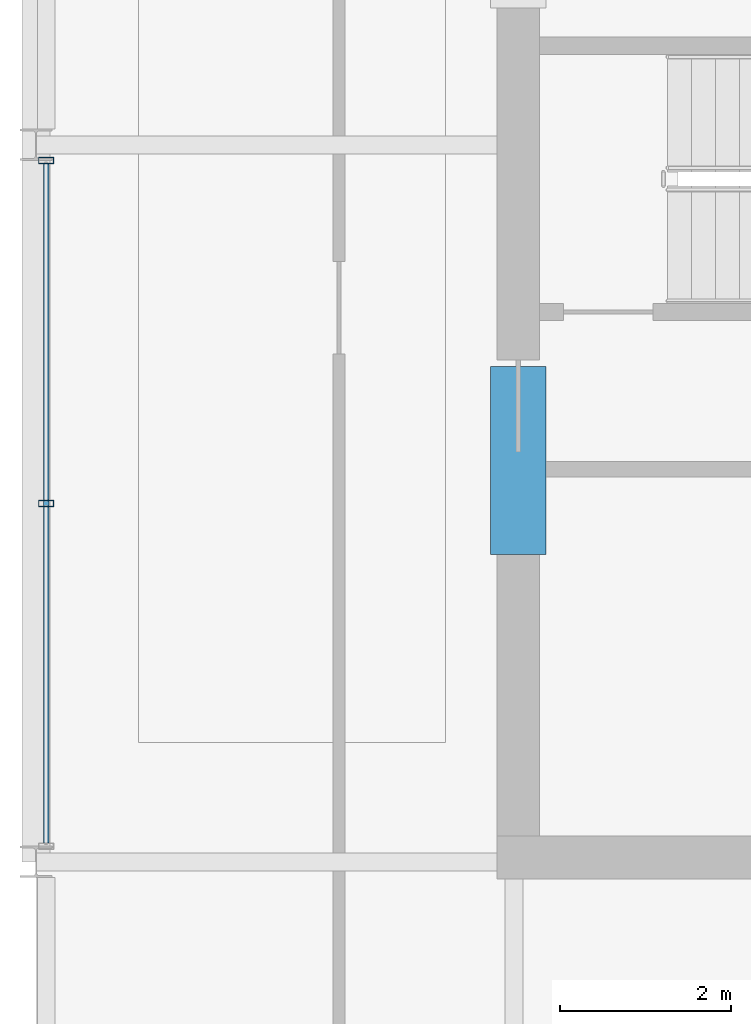
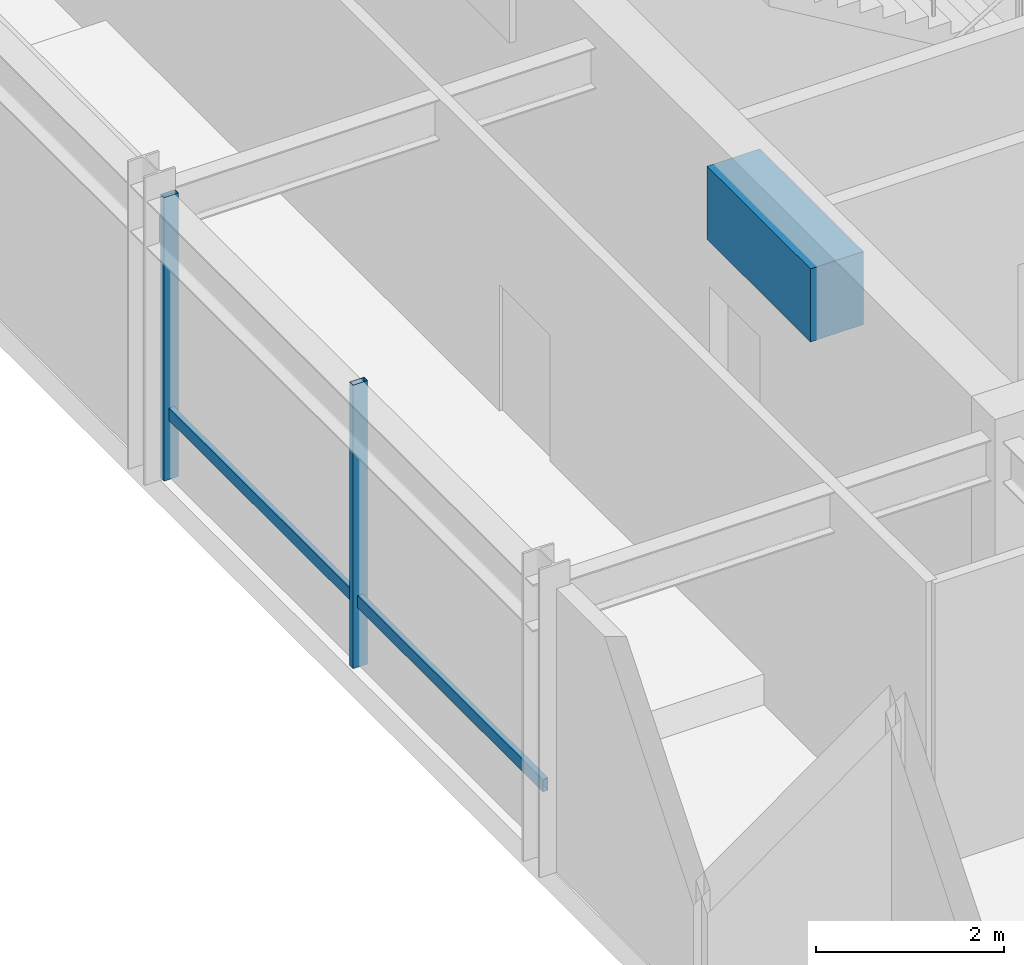
# One storey, part 4 of 12: 3 members, 1 beam, 1 element without a shape of its own.
"""IFC4 building model written with IfcOpenShell, lengths in metres."""

from ifc_helpers import new_model, si_unit, direction, frame, origin, origin_2d, place, context, subcontext, project, spatial, rectangle, hollow_rectangle, extrude, material, layer, layer_set, material_profile, profile_set, type_object, element, aggregate, save


model = new_model("IFC4")

# Units and contexts
model_context = context("Model", 3, precision=1e-05, world=origin(), true_north=direction((0.0, 1.0)))
body_context = subcontext(model_context, "Body", "Model", "MODEL_VIEW")
ifc_project = project(units=[si_unit("LENGTHUNIT", "METRE"), si_unit("AREAUNIT", "SQUARE_METRE"), si_unit("VOLUMEUNIT", "CUBIC_METRE"), si_unit("PLANEANGLEUNIT", "RADIAN"), si_unit("MASSUNIT", "GRAM", prefix="KILO")], contexts=[model_context])

# Site, building, storey
site_placement = place(None, origin())
site = spatial("IfcSite", under=ifc_project, at=site_placement, CompositionType="ELEMENT")
building_placement = place(site_placement, origin())
building = spatial("IfcBuilding", under=site, at=building_placement, Name="Drelvath Grand Hotel", CompositionType="ELEMENT")
storey_placement = place(building_placement, frame((0.0, 0.0, 315.39990234375)))
storey = spatial("IfcBuildingStorey", under=building, at=storey_placement, Name="L82", CompositionType="ELEMENT", Elevation=315.39990234375)

# Beam
ifc_material_1 = material(Name="Concrete f'c 55 MPa", Category="concrete")
ifc_material_profile_1 = material_profile(ifc_material_1, rectangle(XDim=0.64990234375, YDim=0.949951171875, at=origin_2d()), Name="CB650X950")
ifc_profile_set_1 = profile_set([ifc_material_profile_1], Name="Concrete f'c 55 MPa")
beam_type = type_object("IfcBeamType", Name="Core Coupling Lintel CB650X950", PredefinedType="LINTEL", material=ifc_profile_set_1)
beam_placement = place(storey_placement, frame((-8.35009765625, 22.199951171875, 3.205078125), z_axis=(0.0, 1.0, 0.0), x_axis=(-1.0, 0.0, 0.0)))
element("IfcBeam", 1, at=beam_placement, inside=storey, type_object=beam_type, Name="L82 Core Coupling Lintel WS", PredefinedType="LINTEL", context=body_context, shape_type="SweptSolid", body=[
    extrude(rectangle(XDim=0.64990234375, YDim=0.949951171875, at=origin_2d()), origin(), (0.0, 0.0, 1.0), 2.199951171875),
])

# Curtain wall, members
ifc_material_2 = material(Name="Pale-Metal Anodised Aluminium Crown Frame", Category="aluminium")
ifc_layer = layer(ifc_material_2, 0.199951171875)
ifc_layer_set = layer_set([ifc_layer], Name="Pale-Metal Anodised Aluminium Crown Frame")
curtain_wall_type = type_object("IfcCurtainWallType", Name="Stick Curtain Wall CW-06 Pale-Metal Crown Clerestory", PredefinedType="NOTDEFINED", material=ifc_layer_set)
curtain_wall_placement = place(storey_placement, origin())
curtain_wall = element("IfcCurtainWall", 2, at=curtain_wall_placement, inside=storey, type_object=curtain_wall_type, Name="L82 CW-06 Curtain Wall CW06-L82-W", PredefinedType="NOTDEFINED")
ifc_material_profile_2 = material_profile(ifc_material_2, hollow_rectangle(XDim=0.06494140625, YDim=0.159912109375, WallThickness=0.00390625, at=origin_2d()), Name="HSS160X65X4")
ifc_profile_set_2 = profile_set([ifc_material_profile_2], Name="Pale-Metal Anodised Aluminium Crown Frame")
member_type_1 = type_object("IfcMemberType", Name="Curtain Wall Horizontal Transom CW-06 HSS160X65X4", PredefinedType="USERDEFINED", material=ifc_profile_set_2)
member_1_placement = place(storey_placement, frame((-13.8798828125, 18.822265625, 0.85009765625), z_axis=(0.0, 1.0, 0.0), x_axis=(-1.0, 0.0, 0.0)))
member_1 = element("IfcMember", 3, at=member_1_placement, type_object=member_type_1, Name="CW06-L82-W Sill Transom", ObjectType="TRANSOM", PredefinedType="USERDEFINED", context=body_context, shape_type="SweptSolid", body=[
    extrude(hollow_rectangle(XDim=0.06494140625, YDim=0.159912109375, WallThickness=0.00390625, at=origin_2d()), origin(), (0.0, 0.0, 1.0), 7.95556640625),
])
ifc_material_profile_3 = material_profile(ifc_material_2, hollow_rectangle(XDim=0.074951171875, YDim=0.179931640625, WallThickness=0.0048828125, at=origin_2d()), Name="HSS180X75X5")
ifc_profile_set_3 = profile_set([ifc_material_profile_3], Name="Pale-Metal Anodised Aluminium Crown Frame")
member_type_2 = type_object("IfcMemberType", Name="Curtain Wall Vertical Mullion CW-06 HSS180X75X5", PredefinedType="MULLION", material=ifc_profile_set_3)
member_2_placement = place(storey_placement, frame((-13.8798828125, 22.800048828125, 0.0), z_axis=(0.0, 0.0, 1.0), x_axis=(0.0, 1.0, 0.0)))
member_2 = element("IfcMember", 4, at=member_2_placement, type_object=member_type_2, Name="CW06-L82-W Mullion 2", PredefinedType="MULLION", context=body_context, shape_type="SweptSolid", body=[
    extrude(hollow_rectangle(XDim=0.074951171875, YDim=0.179931640625, WallThickness=0.0048828125, at=origin_2d()), origin(), (0.0, 0.0, 1.0), 3.68017578125),
])
member_3_placement = place(storey_placement, frame((-13.8798828125, 26.81787109375, 0.0), z_axis=(0.0, 0.0, 1.0), x_axis=(0.0, 1.0, 0.0)))
member_3 = element("IfcMember", 5, at=member_3_placement, type_object=member_type_2, Name="CW06-L82-W Mullion 3", PredefinedType="MULLION", context=body_context, shape_type="SweptSolid", body=[
    extrude(hollow_rectangle(XDim=0.074951171875, YDim=0.179931640625, WallThickness=0.0048828125, at=origin_2d()), origin(), (0.0, 0.0, 1.0), 3.68017578125),
])
aggregate(curtain_wall, [member_2, member_3, member_1])

save(model, "model.ifc")
